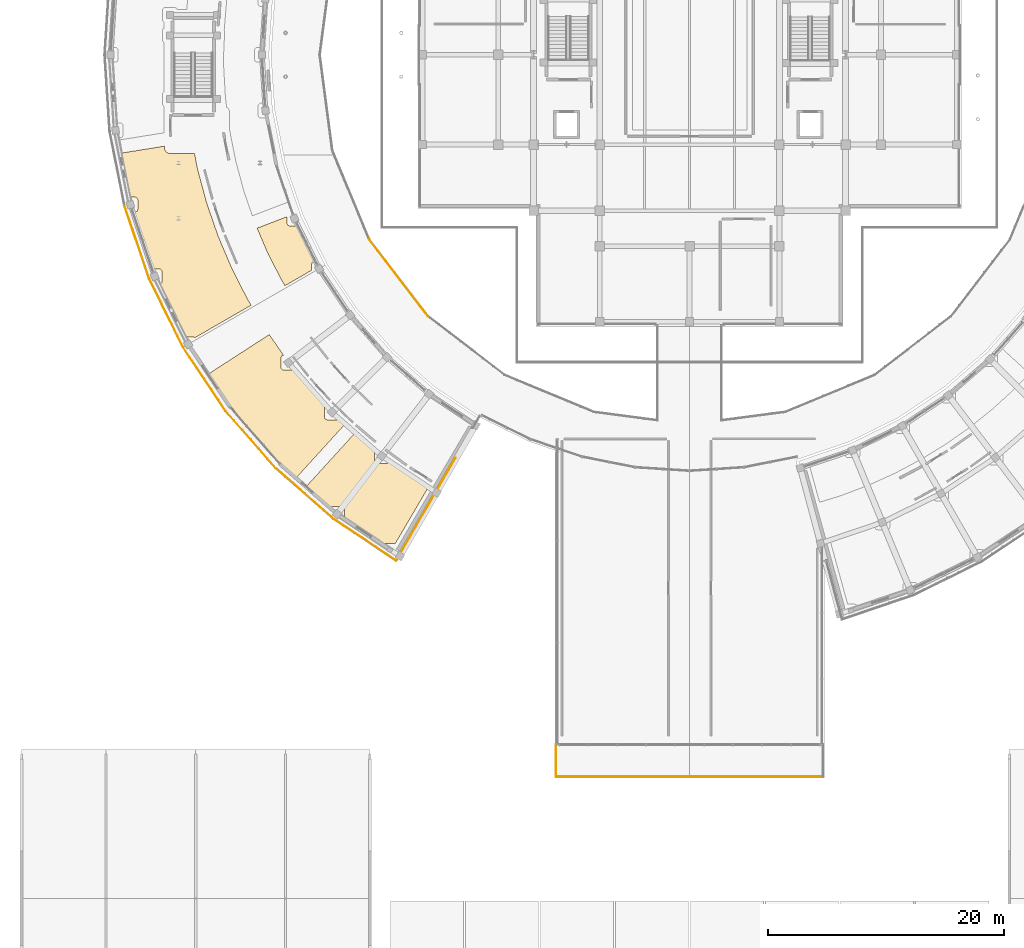
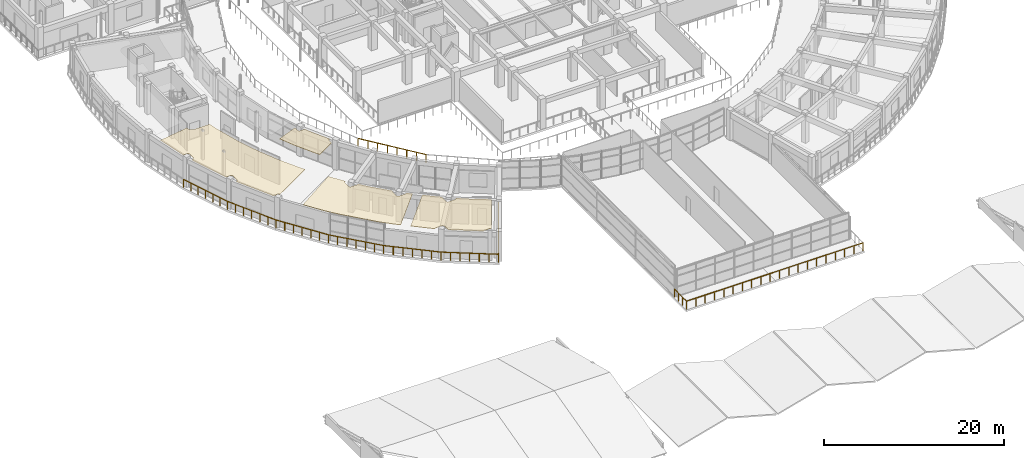
# One storey, part 66 of 83: 10 railings, 4 coverings.
"""IFC4 building model written with IfcOpenShell, lengths in metres."""

from ifc_helpers import new_model, si_unit, direction, frame, origin, origin_2d, place, context, subcontext, project, spatial, polyline, rectangle, outline, extrude, material, layer, layer_set, type_object, element, save


model = new_model("IFC4")

# Units and contexts
model_context = context("Model", 3, precision=1e-05, world=origin(), true_north=direction((0.0, 1.0)))
body_context = subcontext(model_context, "Body", "Model", "MODEL_VIEW")
ifc_project = project(units=[si_unit("LENGTHUNIT", "METRE"), si_unit("AREAUNIT", "SQUARE_METRE"), si_unit("VOLUMEUNIT", "CUBIC_METRE"), si_unit("PLANEANGLEUNIT", "RADIAN"), si_unit("MASSUNIT", "GRAM", prefix="KILO")], contexts=[model_context])

# Site, building, storey
site_placement = place(None, origin())
site = spatial("IfcSite", under=ifc_project, at=site_placement, CompositionType="ELEMENT")
building_placement = place(site_placement, origin())
building = spatial("IfcBuilding", under=site, at=building_placement, Name="Saryqyr Civic Hall", CompositionType="ELEMENT")
storey_placement = place(building_placement, frame((0.0, 0.0, 9.14990234375)))
storey = spatial("IfcBuildingStorey", under=building, at=storey_placement, Name="L02", CompositionType="ELEMENT", Elevation=9.14990234375)

# Coverings
ifc_material_1 = material(Name="Mineral-fibre acoustic ceiling tile", Category="acoustic_tile")
ifc_layer_1 = layer(ifc_material_1, 0.06005859375, Name="Mineral-fibre acoustic ceiling tile")
ifc_layer_set_1 = layer_set([ifc_layer_1], Name="Mineral-fibre acoustic ceiling tile")
covering_type = type_object("IfcCoveringType", Name="INT-COV-CEIL-60", PredefinedType="CEILING", material=ifc_layer_set_1)
covering_1_placement = place(storey_placement, frame((0.0, 0.0, 3.72998046875)))
element("IfcCovering", 1, at=covering_1_placement, inside=storey, type_object=covering_type, Name="Acoustic ceiling Standing Committee Room 2 (Budget & Finance)", PredefinedType="CEILING", context=body_context, shape_type="SweptSolid", body=[
    extrude(outline(polyline([(12.5478515625, 76.116943359375), (12.556640625, 76.064453125), (12.570556640625, 76.012939453125), (12.589111328125, 75.962890625), (12.612548828125, 75.915283203125), (12.640625, 75.869873046875), (12.6728515625, 75.827392578125), (12.708984375, 75.788330078125), (12.748779296875, 75.752685546875), (12.7919921875, 75.721435546875), (12.837890625, 75.6943359375), (12.885986328125, 75.671875), (12.936279296875, 75.654052734375), (12.988037109375, 75.64111328125), (13.040771484375, 75.633544921875), (13.093994140625, 75.630859375), (15.102783203125, 75.630126953125), (15.358642578125, 74.328369140625), (15.3671875, 74.291259765625), (16.12548828125, 71.4775390625), (16.13671875, 71.441162109375), (17.087158203125, 68.6865234375), (17.100830078125, 68.65087890625), (18.2392578125, 65.968505859375), (18.255126953125, 65.93408203125), (19.575927734375, 63.33642578125), (19.594482421875, 63.30322265625), (19.891845703125, 62.806396484375), (15.124267578125, 60.053955078125), (15.12158203125, 60.056884765625), (15.103515625, 60.0732421875), (15.083740234375, 60.087890625), (15.0625, 60.1005859375), (15.04052734375, 60.111083984375), (15.017333984375, 60.119140625), (14.99365234375, 60.125244140625), (14.96923828125, 60.12890625), (14.94482421875, 60.1298828125), (14.29638671875, 60.1298828125), (14.25439453125, 60.2001953125), (12.275634765625, 64.212646484375), (12.103515625, 64.618408203125), (12.10986328125, 64.618408203125), (12.134521484375, 64.61962890625), (12.15869140625, 64.623291015625), (12.1826171875, 64.62939453125), (12.20556640625, 64.637451171875), (12.227783203125, 64.64794921875), (12.248779296875, 64.66064453125), (12.2685546875, 64.67529296875), (12.28662109375, 64.691650390625), (12.30322265625, 64.7099609375), (12.31787109375, 64.7294921875), (12.330322265625, 64.750732421875), (12.3408203125, 64.772705078125), (12.34912109375, 64.7958984375), (12.35498046875, 64.819580078125), (12.358642578125, 64.843994140625), (12.35986328125, 64.868408203125), (12.35986328125, 65.62841796875), (12.358642578125, 65.653076171875), (12.35498046875, 65.67724609375), (12.34912109375, 65.701171875), (12.3408203125, 65.72412109375), (12.330322265625, 65.746337890625), (12.31787109375, 65.767333984375), (12.30322265625, 65.787109375), (12.28662109375, 65.805419921875), (12.2685546875, 65.82177734375), (12.248779296875, 65.83642578125), (12.227783203125, 65.84912109375), (12.20556640625, 65.859619140625), (12.1826171875, 65.86767578125), (12.15869140625, 65.873779296875), (12.134521484375, 65.877197265625), (12.10986328125, 65.87841796875), (11.568603515625, 65.87841796875), (11.470703125, 66.109130859375), (10.0419921875, 70.318603515625), (9.9423828125, 70.68798828125), (10.049560546875, 70.68798828125), (10.07421875, 70.689208984375), (10.098388671875, 70.692626953125), (10.122314453125, 70.69873046875), (10.145263671875, 70.706787109375), (10.16748046875, 70.71728515625), (10.1884765625, 70.72998046875), (10.208251953125, 70.74462890625), (10.226318359375, 70.760986328125), (10.242919921875, 70.779296875), (10.257568359375, 70.799072265625), (10.27001953125, 70.820068359375), (10.280517578125, 70.84228515625), (10.288818359375, 70.865234375), (10.294921875, 70.88916015625), (10.29833984375, 70.913330078125), (10.299560546875, 70.93798828125), (10.299560546875, 71.697998046875), (10.29833984375, 71.722412109375), (10.294921875, 71.74658203125), (10.288818359375, 71.7705078125), (10.280517578125, 71.793701171875), (10.27001953125, 71.815673828125), (10.257568359375, 71.8369140625), (10.242919921875, 71.8564453125), (10.226318359375, 71.874755859375), (10.208251953125, 71.89111328125), (10.1884765625, 71.90576171875), (10.16748046875, 71.91845703125), (10.145263671875, 71.928955078125), (10.122314453125, 71.93701171875), (10.098388671875, 71.943115234375), (10.07421875, 71.94677734375), (10.049560546875, 71.947998046875), (9.602783203125, 71.947998046875), (9.501220703125, 72.325439453125), (8.835693359375, 75.669921875), (12.54248046875, 76.2666015625), (12.544189453125, 76.170166015625), (12.5478515625, 76.116943359375)])), origin(), (0.0, 0.0, 1.0), 0.06005859375),
])
covering_2_placement = place(storey_placement, frame((0.0, 0.0, 3.72998046875)))
element("IfcCovering", 2, at=covering_2_placement, inside=storey, type_object=covering_type, Name="Acoustic ceiling Committee Caucus & Witness Briefing Room", PredefinedType="CEILING", context=body_context, shape_type="SweptSolid", body=[
    extrude(outline(polyline([(22.61572265625, 58.5703125), (22.591796875, 58.564208984375), (22.56884765625, 58.555908203125), (22.546630859375, 58.54541015625), (22.525634765625, 58.532958984375), (22.505859375, 58.518310546875), (22.48779296875, 58.501708984375), (22.47119140625, 58.483642578125), (22.45654296875, 58.4638671875), (22.444091796875, 58.44287109375), (22.43359375, 58.420654296875), (22.42529296875, 58.397705078125), (22.419189453125, 58.373779296875), (22.415771484375, 58.349609375), (22.41455078125, 58.324951171875), (22.41455078125, 57.56494140625), (22.415771484375, 57.54052734375), (22.419189453125, 57.51611328125), (22.42529296875, 57.492431640625), (22.43359375, 57.46923828125), (22.444091796875, 57.447265625), (22.45654296875, 57.426025390625), (22.47119140625, 57.406494140625), (22.48779296875, 57.38818359375), (22.505859375, 57.37158203125), (22.525634765625, 57.357177734375), (22.546630859375, 57.344482421875), (22.56884765625, 57.333984375), (22.591796875, 57.32568359375), (22.61572265625, 57.31982421875), (22.639892578125, 57.316162109375), (22.66455078125, 57.31494140625), (23.424560546875, 57.31494140625), (23.448974609375, 57.316162109375), (23.473388671875, 57.31982421875), (23.4970703125, 57.32568359375), (23.520263671875, 57.333984375), (23.542236328125, 57.344482421875), (23.5634765625, 57.357177734375), (23.5830078125, 57.37158203125), (23.583740234375, 57.372314453125), (24.388427734375, 56.35888671875), (24.41162109375, 56.331787109375), (26.225341796875, 54.328857421875), (26.216796875, 54.32373046875), (26.197265625, 54.30908203125), (26.178955078125, 54.29248046875), (26.16259765625, 54.2744140625), (26.14794921875, 54.254638671875), (26.13525390625, 54.233642578125), (26.124755859375, 54.21142578125), (26.11669921875, 54.1884765625), (26.110595703125, 54.16455078125), (26.10693359375, 54.140380859375), (26.105712890625, 54.11572265625), (26.105712890625, 53.355712890625), (26.10693359375, 53.331298828125), (26.110595703125, 53.306884765625), (26.11669921875, 53.283203125), (26.124755859375, 53.260009765625), (26.13525390625, 53.238037109375), (26.14794921875, 53.216796875), (26.16259765625, 53.197265625), (26.178955078125, 53.178955078125), (26.197265625, 53.16259765625), (26.216796875, 53.14794921875), (26.238037109375, 53.13525390625), (26.260009765625, 53.124755859375), (26.283203125, 53.11669921875), (26.306884765625, 53.110595703125), (26.331298828125, 53.10693359375), (26.355712890625, 53.105712890625), (27.11572265625, 53.105712890625), (27.140380859375, 53.10693359375), (27.16455078125, 53.110595703125), (27.1884765625, 53.11669921875), (27.21142578125, 53.124755859375), (27.233642578125, 53.13525390625), (27.254638671875, 53.14794921875), (27.2744140625, 53.16259765625), (27.29248046875, 53.178955078125), (27.30908203125, 53.197265625), (27.32373046875, 53.216796875), (27.336181640625, 53.238037109375), (27.339111328125, 53.244140625), (27.84912109375, 52.749755859375), (23.712890625, 48.19970703125), (23.256103515625, 48.600341796875), (21.89208984375, 49.92333984375), (18.931884765625, 53.299072265625), (17.758544921875, 54.7763671875), (16.279541015625, 56.989990234375), (21.426025390625, 60.318115234375), (22.63623046875, 58.5732421875), (22.61572265625, 58.5703125)])), origin(), (0.0, 0.0, 1.0), 0.06005859375),
])
covering_3_placement = place(storey_placement, frame((0.0, 0.0, 3.72998046875)))
element("IfcCovering", 3, at=covering_3_placement, inside=storey, type_object=covering_type, Name="Acoustic ceiling Staff & Accessible MGN WC L02-W", PredefinedType="CEILING", context=body_context, shape_type="SweptSolid", body=[
    extrude(outline(polyline([(30.357177734375, 50.5634765625), (30.344482421875, 50.542236328125), (30.333984375, 50.520263671875), (30.32568359375, 50.4970703125), (30.31982421875, 50.473388671875), (30.316162109375, 50.448974609375), (30.31494140625, 50.424560546875), (30.31494140625, 49.66455078125), (30.316162109375, 49.639892578125), (30.31982421875, 49.61572265625), (30.32568359375, 49.591796875), (30.333984375, 49.56884765625), (30.344482421875, 49.546630859375), (30.357177734375, 49.525634765625), (30.37158203125, 49.505859375), (30.38818359375, 49.48779296875), (30.406494140625, 49.47119140625), (30.426025390625, 49.45654296875), (30.447265625, 49.444091796875), (30.46923828125, 49.43359375), (30.492431640625, 49.42529296875), (30.51611328125, 49.419189453125), (30.54052734375, 49.415771484375), (30.56494140625, 49.41455078125), (31.324951171875, 49.41455078125), (31.349609375, 49.415771484375), (31.373779296875, 49.419189453125), (31.397705078125, 49.42529296875), (31.420654296875, 49.43359375), (31.44287109375, 49.444091796875), (31.4638671875, 49.45654296875), (31.483642578125, 49.47119140625), (31.501708984375, 49.48779296875), (31.518310546875, 49.505859375), (31.532958984375, 49.525634765625), (31.54541015625, 49.546630859375), (31.555908203125, 49.56884765625), (31.564208984375, 49.591796875), (31.5703125, 49.61572265625), (31.57373046875, 49.639892578125), (31.574951171875, 49.663330078125), (32.8583984375, 48.719482421875), (32.889892578125, 48.697998046875), (34.902099609375, 47.421875), (32.0693359375, 42.593505859375), (32.060546875, 42.60009765625), (32.03955078125, 42.61279296875), (32.017333984375, 42.623291015625), (31.994384765625, 42.63134765625), (31.970458984375, 42.637451171875), (31.9462890625, 42.64111328125), (31.921630859375, 42.64208984375), (31.311767578125, 42.64208984375), (31.287109375, 42.64111328125), (31.262939453125, 42.637451171875), (31.239013671875, 42.63134765625), (31.216064453125, 42.623291015625), (31.19384765625, 42.61279296875), (31.1728515625, 42.60009765625), (31.153076171875, 42.58544921875), (31.135009765625, 42.569091796875), (31.118408203125, 42.55078125), (31.11376953125, 42.54443359375), (28.258544921875, 44.4365234375), (27.80078125, 44.773193359375), (27.80078125, 45.505615234375), (27.799560546875, 45.5302734375), (27.7958984375, 45.554443359375), (27.789794921875, 45.578369140625), (27.78173828125, 45.601318359375), (27.771240234375, 45.62353515625), (27.758544921875, 45.64453125), (27.743896484375, 45.664306640625), (27.7275390625, 45.6826171875), (27.709228515625, 45.698974609375), (27.689697265625, 45.713623046875), (27.66845703125, 45.726318359375), (27.646484375, 45.73681640625), (27.623291015625, 45.744873046875), (27.599609375, 45.7509765625), (27.5751953125, 45.75439453125), (27.55078125, 45.755615234375), (26.790771484375, 45.755615234375), (26.76611328125, 45.75439453125), (26.741943359375, 45.7509765625), (26.718017578125, 45.744873046875), (26.695068359375, 45.73681640625), (26.6728515625, 45.726318359375), (26.65185546875, 45.713623046875), (26.632080078125, 45.698974609375), (26.614013671875, 45.6826171875), (26.600341796875, 45.66748046875), (24.55517578125, 47.461181640625), (28.678955078125, 51.997802734375), (30.3623046875, 50.5703125), (30.357177734375, 50.5634765625)])), origin(), (0.0, 0.0, 1.0), 0.06005859375),
])
covering_4_placement = place(storey_placement, frame((0.0, 0.0, 3.72998046875)))
element("IfcCovering", 4, at=covering_4_placement, inside=storey, type_object=covering_type, Name="Acoustic ceiling Land Cadastre Review Office", PredefinedType="CEILING", context=body_context, shape_type="SweptSolid", body=[
    extrude(outline(polyline([(25.205078125, 66.548095703125), (25.218994140625, 66.524658203125), (25.197265625, 66.519287109375), (25.17431640625, 66.510986328125), (25.152099609375, 66.50048828125), (25.131103515625, 66.48779296875), (25.111328125, 66.473388671875), (25.093017578125, 66.456787109375), (25.07666015625, 66.438720703125), (25.06201171875, 66.4189453125), (25.04931640625, 66.397705078125), (25.038818359375, 66.375732421875), (25.03076171875, 66.3525390625), (25.024658203125, 66.328857421875), (25.02099609375, 66.304443359375), (25.02001953125, 66.280029296875), (25.02001953125, 65.76708984375), (22.750732421875, 64.45703125), (22.40771484375, 65.035400390625), (21.2099609375, 67.40625), (20.396728515625, 69.3271484375), (22.925537109375, 70.298583984375), (22.925537109375, 69.766845703125), (22.9267578125, 69.742431640625), (22.930419921875, 69.718017578125), (22.936279296875, 69.6943359375), (22.944580078125, 69.671142578125), (22.955078125, 69.649169921875), (22.9677734375, 69.6279296875), (22.982421875, 69.6083984375), (22.998779296875, 69.590087890625), (23.01708984375, 69.573486328125), (23.03662109375, 69.55908203125), (23.057861328125, 69.54638671875), (23.079833984375, 69.535888671875), (23.10302734375, 69.527587890625), (23.126708984375, 69.521728515625), (23.151123046875, 69.51806640625), (23.175537109375, 69.516845703125), (23.76708984375, 69.516845703125), (24.087158203125, 68.7607421875), (24.102783203125, 68.72705078125), (25.187255859375, 66.58056640625), (25.205078125, 66.548095703125)])), origin(), (0.0, 0.0, 1.0), 0.06005859375),
])

# Railings
ifc_material_2 = material(Name="Warm brushed brass and laminated glass", Category="glass")
ifc_layer_2 = layer(ifc_material_2, 0.06005859375, Name="Warm brushed brass and laminated glass")
ifc_layer_set_2 = layer_set([ifc_layer_2], Name="Warm brushed brass and laminated glass")
railing_type = type_object("IfcRailingType", Name="INT-RLG-BAL-1100", PredefinedType="BALUSTRADE", material=ifc_layer_set_2)
railing_1_placement = place(storey_placement, frame((37.177978515625, 49.8671875, 0.0)))
element("IfcRailing", 5, at=railing_1_placement, inside=storey, type_object=railing_type, Name="Interior deck safety balustrade L02-002", PredefinedType="BALUSTRADE", context=body_context, shape_type="SweptSolid", body=[
    extrude(rectangle(XDim=0.048095703125, YDim=0.048095703125, at=origin_2d()), frame((0.0, 0.0, 1.09619140625), z_axis=(-0.500000789788, -0.8660249478, 0.0), x_axis=(0.8660249478, -0.500000789788, 0.0)), (0.0, 0.0, 1.0), 10.0224609375),
    extrude(rectangle(XDim=0.0419921875, YDim=0.0419921875, at=origin_2d()), origin(), (0.0, 0.0, 1.0), 1.072021484375),
    extrude(rectangle(XDim=0.0419921875, YDim=0.0419921875, at=origin_2d()), frame((-0.556884765625, -0.96435546875, 0.0)), (0.0, 0.0, 1.0), 1.072021484375),
    extrude(rectangle(XDim=0.0419921875, YDim=0.0419921875, at=origin_2d()), frame((-1.113525390625, -1.9287109375, 0.0)), (0.0, 0.0, 1.0), 1.072021484375),
    extrude(rectangle(XDim=0.0419921875, YDim=0.0419921875, at=origin_2d()), frame((-1.67041015625, -2.893310546875, 0.0)), (0.0, 0.0, 1.0), 1.072021484375),
    extrude(rectangle(XDim=0.0419921875, YDim=0.0419921875, at=origin_2d()), frame((-2.227294921875, -3.857666015625, 0.0)), (0.0, 0.0, 1.0), 1.072021484375),
    extrude(rectangle(XDim=0.0419921875, YDim=0.0419921875, at=origin_2d()), frame((-2.783935546875, -4.822021484375, 0.0)), (0.0, 0.0, 1.0), 1.072021484375),
    extrude(rectangle(XDim=0.0419921875, YDim=0.0419921875, at=origin_2d()), frame((-3.3408203125, -5.786376953125, 0.0)), (0.0, 0.0, 1.0), 1.072021484375),
    extrude(rectangle(XDim=0.0419921875, YDim=0.0419921875, at=origin_2d()), frame((-3.897705078125, -6.7509765625, 0.0)), (0.0, 0.0, 1.0), 1.072021484375),
    extrude(rectangle(XDim=0.0419921875, YDim=0.0419921875, at=origin_2d()), frame((-4.454345703125, -7.71533203125, 0.0)), (0.0, 0.0, 1.0), 1.072021484375),
    extrude(rectangle(XDim=0.0419921875, YDim=0.0419921875, at=origin_2d()), frame((-5.01123046875, -8.6796875, 0.0)), (0.0, 0.0, 1.0), 1.072021484375),
])
railing_2_placement = place(storey_placement, frame((32.166748046875, 41.1875, 0.0)))
element("IfcRailing", 6, at=railing_2_placement, inside=storey, type_object=railing_type, Name="Interior deck safety balustrade L02-003", PredefinedType="BALUSTRADE", context=body_context, shape_type="SweptSolid", body=[
    extrude(rectangle(XDim=0.048095703125, YDim=0.048095703125, at=origin_2d()), frame((0.0, 0.0, 1.09619140625), z_axis=(-0.831454719834, 0.555592520527, 0.0), x_axis=(-0.555592520527, -0.831454719834, 0.0)), (0.0, 0.0, 1.0), 6.374755859375),
    extrude(rectangle(XDim=0.0419921875, YDim=0.0419921875, at=origin_2d()), origin(), (0.0, 0.0, 1.0), 1.072021484375),
    extrude(rectangle(XDim=0.0419921875, YDim=0.0419921875, at=origin_2d()), frame((-0.88330078125, 0.59033203125, 0.0)), (0.0, 0.0, 1.0), 1.072021484375),
    extrude(rectangle(XDim=0.0419921875, YDim=0.0419921875, at=origin_2d()), frame((-1.766845703125, 1.1806640625, 0.0)), (0.0, 0.0, 1.0), 1.072021484375),
    extrude(rectangle(XDim=0.0419921875, YDim=0.0419921875, at=origin_2d()), frame((-2.650146484375, 1.77099609375, 0.0)), (0.0, 0.0, 1.0), 1.072021484375),
    extrude(rectangle(XDim=0.0419921875, YDim=0.0419921875, at=origin_2d()), frame((-3.533447265625, 2.361083984375, 0.0)), (0.0, 0.0, 1.0), 1.072021484375),
    extrude(rectangle(XDim=0.0419921875, YDim=0.0419921875, at=origin_2d()), frame((-4.4169921875, 2.951416015625, 0.0)), (0.0, 0.0, 1.0), 1.072021484375),
    extrude(rectangle(XDim=0.0419921875, YDim=0.0419921875, at=origin_2d()), frame((-5.30029296875, 3.541748046875, 0.0)), (0.0, 0.0, 1.0), 1.072021484375),
])
railing_3_placement = place(storey_placement, frame((26.866455078125, 44.729248046875, 0.0)))
element("IfcRailing", 7, at=railing_3_placement, inside=storey, type_object=railing_type, Name="Interior deck safety balustrade L02-004", PredefinedType="BALUSTRADE", context=body_context, shape_type="SweptSolid", body=[
    extrude(rectangle(XDim=0.048095703125, YDim=0.048095703125, at=origin_2d()), frame((0.0, 0.0, 1.09619140625), z_axis=(-0.751856829228, 0.659326405009, 0.0), x_axis=(-0.659326405009, -0.751856829228, 0.0)), (0.0, 0.0, 1.0), 6.474853515625),
    extrude(rectangle(XDim=0.0419921875, YDim=0.0419921875, at=origin_2d()), origin(), (0.0, 0.0, 1.0), 1.072021484375),
    extrude(rectangle(XDim=0.0419921875, YDim=0.0419921875, at=origin_2d()), frame((-0.811279296875, 0.71142578125, 0.0)), (0.0, 0.0, 1.0), 1.072021484375),
    extrude(rectangle(XDim=0.0419921875, YDim=0.0419921875, at=origin_2d()), frame((-1.622802734375, 1.423095703125, 0.0)), (0.0, 0.0, 1.0), 1.072021484375),
    extrude(rectangle(XDim=0.0419921875, YDim=0.0419921875, at=origin_2d()), frame((-2.43408203125, 2.134521484375, 0.0)), (0.0, 0.0, 1.0), 1.072021484375),
    extrude(rectangle(XDim=0.0419921875, YDim=0.0419921875, at=origin_2d()), frame((-3.245361328125, 2.845947265625, 0.0)), (0.0, 0.0, 1.0), 1.072021484375),
    extrude(rectangle(XDim=0.0419921875, YDim=0.0419921875, at=origin_2d()), frame((-4.056884765625, 3.5576171875, 0.0)), (0.0, 0.0, 1.0), 1.072021484375),
    extrude(rectangle(XDim=0.0419921875, YDim=0.0419921875, at=origin_2d()), frame((-4.8681640625, 4.26904296875, 0.0)), (0.0, 0.0, 1.0), 1.072021484375),
])
railing_4_placement = place(storey_placement, frame((21.998291015625, 48.998291015625, 0.0)))
element("IfcRailing", 8, at=railing_4_placement, inside=storey, type_object=railing_type, Name="Interior deck safety balustrade L02-005", PredefinedType="BALUSTRADE", context=body_context, shape_type="SweptSolid", body=[
    extrude(rectangle(XDim=0.048095703125, YDim=0.048095703125, at=origin_2d()), frame((0.0, 0.0, 1.09619140625), z_axis=(-0.659326405009, 0.751856829228, 0.0), x_axis=(-0.751856829228, -0.659326405009, 0.0)), (0.0, 0.0, 1.0), 6.474853515625),
    extrude(rectangle(XDim=0.0419921875, YDim=0.0419921875, at=origin_2d()), origin(), (0.0, 0.0, 1.0), 1.072021484375),
    extrude(rectangle(XDim=0.0419921875, YDim=0.0419921875, at=origin_2d()), frame((-0.71142578125, 0.811279296875, 0.0)), (0.0, 0.0, 1.0), 1.072021484375),
    extrude(rectangle(XDim=0.0419921875, YDim=0.0419921875, at=origin_2d()), frame((-1.423095703125, 1.622802734375, 0.0)), (0.0, 0.0, 1.0), 1.072021484375),
    extrude(rectangle(XDim=0.0419921875, YDim=0.0419921875, at=origin_2d()), frame((-2.134521484375, 2.43408203125, 0.0)), (0.0, 0.0, 1.0), 1.072021484375),
    extrude(rectangle(XDim=0.0419921875, YDim=0.0419921875, at=origin_2d()), frame((-2.845947265625, 3.245361328125, 0.0)), (0.0, 0.0, 1.0), 1.072021484375),
    extrude(rectangle(XDim=0.0419921875, YDim=0.0419921875, at=origin_2d()), frame((-3.5576171875, 4.056884765625, 0.0)), (0.0, 0.0, 1.0), 1.072021484375),
    extrude(rectangle(XDim=0.0419921875, YDim=0.0419921875, at=origin_2d()), frame((-4.26904296875, 4.8681640625, 0.0)), (0.0, 0.0, 1.0), 1.072021484375),
])
railing_5_placement = place(storey_placement, frame((17.729248046875, 53.866455078125, 0.0)))
element("IfcRailing", 9, at=railing_5_placement, inside=storey, type_object=railing_type, Name="Interior deck safety balustrade L02-006", PredefinedType="BALUSTRADE", context=body_context, shape_type="SweptSolid", body=[
    extrude(rectangle(XDim=0.048095703125, YDim=0.048095703125, at=origin_2d()), frame((0.0, 0.0, 1.09619140625), z_axis=(-0.55559611415, 0.831452318502, 0.0), x_axis=(-0.831452318502, -0.55559611415, 0.0)), (0.0, 0.0, 1.0), 6.474853515625),
    extrude(rectangle(XDim=0.0419921875, YDim=0.0419921875, at=origin_2d()), origin(), (0.0, 0.0, 1.0), 1.072021484375),
    extrude(rectangle(XDim=0.0419921875, YDim=0.0419921875, at=origin_2d()), frame((-0.599609375, 0.897216796875, 0.0)), (0.0, 0.0, 1.0), 1.072021484375),
    extrude(rectangle(XDim=0.0419921875, YDim=0.0419921875, at=origin_2d()), frame((-1.19921875, 1.79443359375, 0.0)), (0.0, 0.0, 1.0), 1.072021484375),
    extrude(rectangle(XDim=0.0419921875, YDim=0.0419921875, at=origin_2d()), frame((-1.798828125, 2.69189453125, 0.0)), (0.0, 0.0, 1.0), 1.072021484375),
    extrude(rectangle(XDim=0.0419921875, YDim=0.0419921875, at=origin_2d()), frame((-2.398193359375, 3.589111328125, 0.0)), (0.0, 0.0, 1.0), 1.072021484375),
    extrude(rectangle(XDim=0.0419921875, YDim=0.0419921875, at=origin_2d()), frame((-2.997802734375, 4.486328125, 0.0)), (0.0, 0.0, 1.0), 1.072021484375),
    extrude(rectangle(XDim=0.0419921875, YDim=0.0419921875, at=origin_2d()), frame((-3.597412109375, 5.383544921875, 0.0)), (0.0, 0.0, 1.0), 1.072021484375),
])
railing_6_placement = place(storey_placement, frame((14.1318359375, 59.25, 0.0)))
element("IfcRailing", 10, at=railing_6_placement, inside=storey, type_object=railing_type, Name="Interior deck safety balustrade L02-007", PredefinedType="BALUSTRADE", context=body_context, shape_type="SweptSolid", body=[
    extrude(rectangle(XDim=0.048095703125, YDim=0.048095703125, at=origin_2d()), frame((0.0, 0.0, 1.09619140625), z_axis=(-0.442244704557, 0.89689443152, 0.0), x_axis=(-0.89689443152, -0.442244704557, 0.0)), (0.0, 0.0, 1.0), 6.47509765625),
    extrude(rectangle(XDim=0.0419921875, YDim=0.0419921875, at=origin_2d()), origin(), (0.0, 0.0, 1.0), 1.072021484375),
    extrude(rectangle(XDim=0.0419921875, YDim=0.0419921875, at=origin_2d()), frame((-0.477294921875, 0.9677734375, 0.0)), (0.0, 0.0, 1.0), 1.072021484375),
    extrude(rectangle(XDim=0.0419921875, YDim=0.0419921875, at=origin_2d()), frame((-0.95458984375, 1.935791015625, 0.0)), (0.0, 0.0, 1.0), 1.072021484375),
    extrude(rectangle(XDim=0.0419921875, YDim=0.0419921875, at=origin_2d()), frame((-1.431640625, 2.90380859375, 0.0)), (0.0, 0.0, 1.0), 1.072021484375),
    extrude(rectangle(XDim=0.0419921875, YDim=0.0419921875, at=origin_2d()), frame((-1.908935546875, 3.87158203125, 0.0)), (0.0, 0.0, 1.0), 1.072021484375),
    extrude(rectangle(XDim=0.0419921875, YDim=0.0419921875, at=origin_2d()), frame((-2.38623046875, 4.83935546875, 0.0)), (0.0, 0.0, 1.0), 1.072021484375),
    extrude(rectangle(XDim=0.0419921875, YDim=0.0419921875, at=origin_2d()), frame((-2.863525390625, 5.807373046875, 0.0)), (0.0, 0.0, 1.0), 1.072021484375),
])
railing_7_placement = place(storey_placement, frame((11.268310546875, 65.057373046875, 0.0)))
element("IfcRailing", 11, at=railing_7_placement, inside=storey, type_object=railing_type, Name="Interior deck safety balustrade L02-008", PredefinedType="BALUSTRADE", context=body_context, shape_type="SweptSolid", body=[
    extrude(rectangle(XDim=0.048095703125, YDim=0.048095703125, at=origin_2d()), frame((0.0, 0.0, 1.09619140625), z_axis=(-0.321449107992, 0.946926856189, 0.0), x_axis=(-0.946926856189, -0.321449107992, 0.0)), (0.0, 0.0, 1.0), 6.474853515625),
    extrude(rectangle(XDim=0.0419921875, YDim=0.0419921875, at=origin_2d()), origin(), (0.0, 0.0, 1.0), 1.072021484375),
    extrude(rectangle(XDim=0.0419921875, YDim=0.0419921875, at=origin_2d()), frame((-0.346923828125, 1.02197265625, 0.0)), (0.0, 0.0, 1.0), 1.072021484375),
    extrude(rectangle(XDim=0.0419921875, YDim=0.0419921875, at=origin_2d()), frame((-0.69384765625, 2.043701171875, 0.0)), (0.0, 0.0, 1.0), 1.072021484375),
    extrude(rectangle(XDim=0.0419921875, YDim=0.0419921875, at=origin_2d()), frame((-1.04052734375, 3.0654296875, 0.0)), (0.0, 0.0, 1.0), 1.072021484375),
    extrude(rectangle(XDim=0.0419921875, YDim=0.0419921875, at=origin_2d()), frame((-1.387451171875, 4.08740234375, 0.0)), (0.0, 0.0, 1.0), 1.072021484375),
    extrude(rectangle(XDim=0.0419921875, YDim=0.0419921875, at=origin_2d()), frame((-1.734375, 5.109375, 0.0)), (0.0, 0.0, 1.0), 1.072021484375),
    extrude(rectangle(XDim=0.0419921875, YDim=0.0419921875, at=origin_2d()), frame((-2.081298828125, 6.131103515625, 0.0)), (0.0, 0.0, 1.0), 1.072021484375),
])
railing_8_placement = place(storey_placement, frame((68.300048828125, 22.89990234375, 0.0)))
element("IfcRailing", 12, at=railing_8_placement, inside=storey, type_object=railing_type, Name="Interior deck safety balustrade L02-050", PredefinedType="BALUSTRADE", context=body_context, shape_type="SweptSolid", body=[
    extrude(rectangle(XDim=0.048095703125, YDim=0.048095703125, at=origin_2d()), frame((0.0, 0.0, 1.09619140625), z_axis=(-1.0, 0.0, 0.0), x_axis=(0.0, -1.0, 0.0)), (0.0, 0.0, 1.0), 22.60009765625),
    extrude(rectangle(XDim=0.0419921875, YDim=0.0419921875, at=origin_2d()), origin(), (0.0, 0.0, 1.0), 1.072021484375),
    extrude(rectangle(XDim=0.0419921875, YDim=0.0419921875, at=origin_2d()), frame((-1.189453125, 0.0, 0.0)), (0.0, 0.0, 1.0), 1.072021484375),
    extrude(rectangle(XDim=0.0419921875, YDim=0.0419921875, at=origin_2d()), frame((-2.37890625, 0.0, 0.0)), (0.0, 0.0, 1.0), 1.072021484375),
    extrude(rectangle(XDim=0.0419921875, YDim=0.0419921875, at=origin_2d()), frame((-3.568359375, 0.0, 0.0)), (0.0, 0.0, 1.0), 1.072021484375),
    extrude(rectangle(XDim=0.0419921875, YDim=0.0419921875, at=origin_2d()), frame((-4.7578125, 0.0, 0.0)), (0.0, 0.0, 1.0), 1.072021484375),
    extrude(rectangle(XDim=0.0419921875, YDim=0.0419921875, at=origin_2d()), frame((-5.947509765625, 0.0, 0.0)), (0.0, 0.0, 1.0), 1.072021484375),
    extrude(rectangle(XDim=0.0419921875, YDim=0.0419921875, at=origin_2d()), frame((-7.136962890625, 0.0, 0.0)), (0.0, 0.0, 1.0), 1.072021484375),
    extrude(rectangle(XDim=0.0419921875, YDim=0.0419921875, at=origin_2d()), frame((-8.326416015625, 0.0, 0.0)), (0.0, 0.0, 1.0), 1.072021484375),
    extrude(rectangle(XDim=0.0419921875, YDim=0.0419921875, at=origin_2d()), frame((-9.515869140625, 0.0, 0.0)), (0.0, 0.0, 1.0), 1.072021484375),
    extrude(rectangle(XDim=0.0419921875, YDim=0.0419921875, at=origin_2d()), frame((-10.705322265625, 0.0, 0.0)), (0.0, 0.0, 1.0), 1.072021484375),
    extrude(rectangle(XDim=0.0419921875, YDim=0.0419921875, at=origin_2d()), frame((-11.894775390625, 0.0, 0.0)), (0.0, 0.0, 1.0), 1.072021484375),
    extrude(rectangle(XDim=0.0419921875, YDim=0.0419921875, at=origin_2d()), frame((-13.084228515625, 0.0, 0.0)), (0.0, 0.0, 1.0), 1.072021484375),
    extrude(rectangle(XDim=0.0419921875, YDim=0.0419921875, at=origin_2d()), frame((-14.273681640625, 0.0, 0.0)), (0.0, 0.0, 1.0), 1.072021484375),
    extrude(rectangle(XDim=0.0419921875, YDim=0.0419921875, at=origin_2d()), frame((-15.463134765625, 0.0, 0.0)), (0.0, 0.0, 1.0), 1.072021484375),
    extrude(rectangle(XDim=0.0419921875, YDim=0.0419921875, at=origin_2d()), frame((-16.652587890625, 0.0, 0.0)), (0.0, 0.0, 1.0), 1.072021484375),
    extrude(rectangle(XDim=0.0419921875, YDim=0.0419921875, at=origin_2d()), frame((-17.84228515625, 0.0, 0.0)), (0.0, 0.0, 1.0), 1.072021484375),
    extrude(rectangle(XDim=0.0419921875, YDim=0.0419921875, at=origin_2d()), frame((-19.03173828125, 0.0, 0.0)), (0.0, 0.0, 1.0), 1.072021484375),
    extrude(rectangle(XDim=0.0419921875, YDim=0.0419921875, at=origin_2d()), frame((-20.22119140625, 0.0, 0.0)), (0.0, 0.0, 1.0), 1.072021484375),
    extrude(rectangle(XDim=0.0419921875, YDim=0.0419921875, at=origin_2d()), frame((-21.41064453125, 0.0, 0.0)), (0.0, 0.0, 1.0), 1.072021484375),
    extrude(rectangle(XDim=0.0419921875, YDim=0.0419921875, at=origin_2d()), frame((-22.60009765625, 0.0, 0.0)), (0.0, 0.0, 1.0), 1.072021484375),
])
railing_9_placement = place(storey_placement, frame((45.699951171875, 22.89990234375, 0.0)))
element("IfcRailing", 13, at=railing_9_placement, inside=storey, type_object=railing_type, Name="Interior deck safety balustrade L02-051", PredefinedType="BALUSTRADE", context=body_context, shape_type="SweptSolid", body=[
    extrude(rectangle(XDim=0.048095703125, YDim=0.048095703125, at=origin_2d()), frame((0.0, 0.0, 1.09619140625), z_axis=(0.0, 1.0, 0.0), x_axis=(-1.0, 0.0, 0.0)), (0.0, 0.0, 1.0), 2.710205078125),
    extrude(rectangle(XDim=0.0419921875, YDim=0.0419921875, at=origin_2d()), origin(), (0.0, 0.0, 1.0), 1.072021484375),
    extrude(rectangle(XDim=0.0419921875, YDim=0.0419921875, at=origin_2d()), frame((0.0, 0.9033203125, 0.0)), (0.0, 0.0, 1.0), 1.072021484375),
    extrude(rectangle(XDim=0.0419921875, YDim=0.0419921875, at=origin_2d()), frame((0.0, 1.806884765625, 0.0)), (0.0, 0.0, 1.0), 1.072021484375),
    extrude(rectangle(XDim=0.0419921875, YDim=0.0419921875, at=origin_2d()), frame((0.0, 2.710205078125, 0.0)), (0.0, 0.0, 1.0), 1.072021484375),
])
railing_10_placement = place(storey_placement, frame((29.892578125, 68.349609375, 0.0)))
element("IfcRailing", 14, at=railing_10_placement, inside=storey, type_object=railing_type, Name="Interior deck safety balustrade L02-079", PredefinedType="BALUSTRADE", context=body_context, shape_type="SweptSolid", body=[
    extrude(rectangle(XDim=0.048095703125, YDim=0.048095703125, at=origin_2d()), frame((0.0, 0.0, 1.09619140625), z_axis=(0.608764559899, -0.793350937865, 0.0), x_axis=(0.793350937865, 0.608764559899, 0.0)), (0.0, 0.0, 1.0), 8.171142578125),
    extrude(rectangle(XDim=0.0419921875, YDim=0.0419921875, at=origin_2d()), origin(), (0.0, 0.0, 1.0), 1.072021484375),
    extrude(rectangle(XDim=0.0419921875, YDim=0.0419921875, at=origin_2d()), frame((0.710693359375, -0.926025390625, 0.0)), (0.0, 0.0, 1.0), 1.072021484375),
    extrude(rectangle(XDim=0.0419921875, YDim=0.0419921875, at=origin_2d()), frame((1.421142578125, -1.852294921875, 0.0)), (0.0, 0.0, 1.0), 1.072021484375),
    extrude(rectangle(XDim=0.0419921875, YDim=0.0419921875, at=origin_2d()), frame((2.1318359375, -2.7783203125, 0.0)), (0.0, 0.0, 1.0), 1.072021484375),
    extrude(rectangle(XDim=0.0419921875, YDim=0.0419921875, at=origin_2d()), frame((2.842529296875, -3.704345703125, 0.0)), (0.0, 0.0, 1.0), 1.072021484375),
    extrude(rectangle(XDim=0.0419921875, YDim=0.0419921875, at=origin_2d()), frame((3.55322265625, -4.63037109375, 0.0)), (0.0, 0.0, 1.0), 1.072021484375),
    extrude(rectangle(XDim=0.0419921875, YDim=0.0419921875, at=origin_2d()), frame((4.263671875, -5.556640625, 0.0)), (0.0, 0.0, 1.0), 1.072021484375),
    extrude(rectangle(XDim=0.0419921875, YDim=0.0419921875, at=origin_2d()), frame((4.974365234375, -6.482666015625, 0.0)), (0.0, 0.0, 1.0), 1.072021484375),
])

save(model, "model.ifc")
